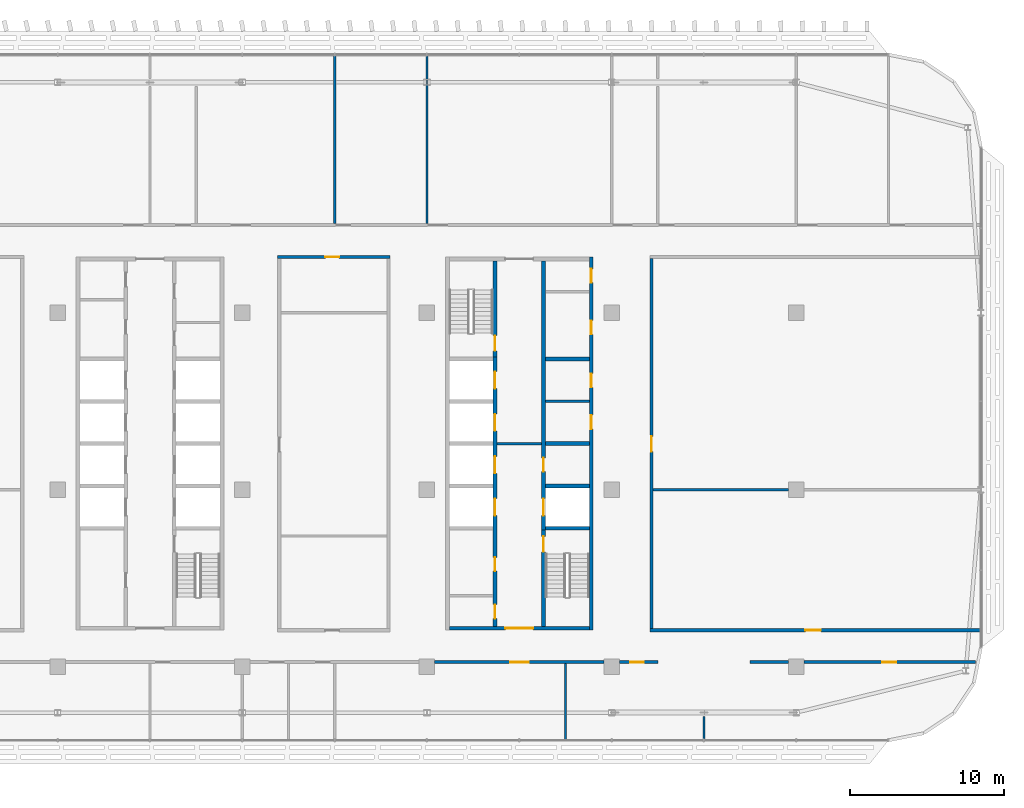
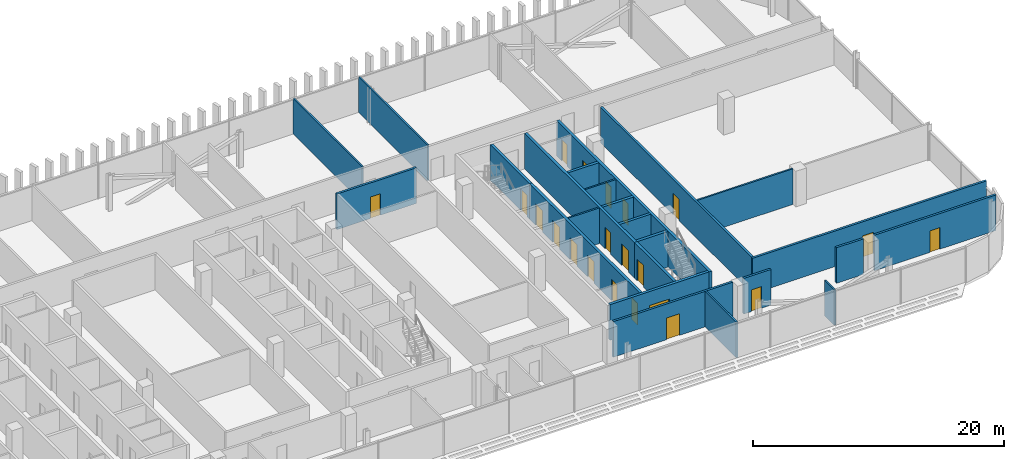
# One storey, part 21 of 32: 24 walls, 21 doors, 21 openings.
"""IFC4 building model written with IfcOpenShell, lengths in metres."""

from ifc_helpers import new_model, si_unit, direction, frame, frame_2d, origin, place, context, subcontext, project, spatial, rectangle, extrude, material, layer, layer_set, type_object, element, fill, save


model = new_model("IFC4")

# Units and contexts
model_context = context("Model", 3, precision=1e-05, world=origin(), true_north=direction((0.0, 1.0)))
body_context = subcontext(model_context, "Body", "Model", "MODEL_VIEW")
ifc_project = project(units=[si_unit("LENGTHUNIT", "METRE"), si_unit("AREAUNIT", "SQUARE_METRE"), si_unit("VOLUMEUNIT", "CUBIC_METRE"), si_unit("PLANEANGLEUNIT", "RADIAN"), si_unit("MASSUNIT", "GRAM", prefix="KILO")], contexts=[model_context])

# Site, building, storey
site_placement = place(None, origin())
site = spatial("IfcSite", under=ifc_project, at=site_placement, CompositionType="ELEMENT")
building_placement = place(site_placement, origin())
building = spatial("IfcBuilding", under=site, at=building_placement, Name="Mahtab Terrace Research Tower", CompositionType="ELEMENT")
storey_placement = place(building_placement, frame((0.0, 0.0, 236.199951171875)))
storey = spatial("IfcBuildingStorey", under=building, at=storey_placement, Name="L57", CompositionType="ELEMENT", Elevation=236.199951171875)

# Walls
ifc_material_1 = material(Name="Gypsum board partition")
ifc_layer_1 = layer(ifc_material_1, 0.14990234375)
ifc_layer_set_1 = layer_set([ifc_layer_1], Name="Core partition 150")
wall_type_1 = type_object("IfcWallType", Name="Core partition 150", PredefinedType="PARTITIONING", material=ifc_layer_set_1)
wall_1_placement = place(storey_placement, frame((22.550048828125, 3.0, 0.0), z_axis=(0.0, 0.0, 1.0), x_axis=(1.0, 0.0, 0.0)))
element("IfcWall", 1, at=wall_1_placement, inside=storey, type_object=wall_type_1, Name="Core wall C ffl", PredefinedType="PARTITIONING", context=body_context, shape_type="SweptSolid", body=[
    extrude(rectangle(XDim=2.89990234375, YDim=0.14990234375, at=frame_2d((1.449951171875, 0.0))), origin(), (0.0, 0.0, 1.0), 3.4599609375),
])
wall_2_placement = place(storey_placement, frame((25.699951171875, 5.75, 0.0), z_axis=(0.0, 0.0, 1.0), x_axis=(1.0, 0.0, 0.0)))
element("IfcWall", 2, at=wall_2_placement, inside=storey, type_object=wall_type_1, Name="Core wall C pEL275", PredefinedType="PARTITIONING", context=body_context, shape_type="SweptSolid", body=[
    extrude(rectangle(XDim=2.85009765625, YDim=0.14990234375, at=frame_2d((1.425048828125, 0.0))), origin(), (0.0, 0.0, 1.0), 3.4599609375),
])

# Wall, openings, doors
ifc_material_2 = material(Name="Concrete C70/85", Category="concrete")
ifc_layer_2 = layer(ifc_material_2, 0.25)
ifc_layer_set_2 = layer_set([ifc_layer_2], Name="Core wall 250")
wall_type_2 = type_object("IfcWallType", Name="Core wall 250", PredefinedType="SOLIDWALL", material=ifc_layer_set_2)
wall_3_placement = place(storey_placement, frame((28.675048828125, -9.125, 0.0), z_axis=(0.0, 0.0, 1.0), x_axis=(0.0, 1.0, 0.0)))
wall_3 = element("IfcWall", 3, at=wall_3_placement, inside=storey, type_object=wall_type_2, Name="Core wall C outerE", PredefinedType="SOLIDWALL", context=body_context, shape_type="SweptSolid", body=[
    extrude(rectangle(XDim=24.25, YDim=0.25, at=frame_2d((12.125, 0.0))), origin(), (0.0, 0.0, 1.0), 3.4599609375),
])
opening_1_placement = place(wall_3_placement, frame((13.074951171875, 0.0, 0.0)))
opening_1 = element("IfcOpeningElement", 4, at=opening_1_placement, cuts=wall_3, Name="Opening C-R2", PredefinedType="OPENING", context=body_context, shape_type="SweptSolid", body=[
    extrude(rectangle(XDim=0.89990234375, YDim=2.10009765625, at=frame_2d((0.449951171875, 1.050048828125))), frame((0.0, 0.135009765625, 0.0), z_axis=(0.0, -1.0, 0.0), x_axis=(1.0, 0.0, 0.0)), (0.0, 0.0, 1.0), 0.27001953125),
])
opening_2_placement = place(wall_3_placement, frame((15.77490234375, 0.0, 0.0)))
opening_2 = element("IfcOpeningElement", 5, at=opening_2_placement, cuts=wall_3, Name="Opening C-R3", PredefinedType="OPENING", context=body_context, shape_type="SweptSolid", body=[
    extrude(rectangle(XDim=0.89990234375, YDim=2.10009765625, at=frame_2d((0.449951171875, 1.050048828125))), frame((0.0, 0.135009765625, 0.0), z_axis=(0.0, -1.0, 0.0), x_axis=(1.0, 0.0, 0.0)), (0.0, 0.0, 1.0), 0.27001953125),
])
opening_3_placement = place(wall_3_placement, frame((19.22509765625, 0.0, 0.0)))
opening_3 = element("IfcOpeningElement", 6, at=opening_3_placement, cuts=wall_3, Name="Opening C-R6", PredefinedType="OPENING", context=body_context, shape_type="SweptSolid", body=[
    extrude(rectangle(XDim=0.89990234375, YDim=2.10009765625, at=frame_2d((0.449951171875, 1.050048828125))), frame((0.0, 0.135009765625, 0.0), z_axis=(0.0, -1.0, 0.0), x_axis=(1.0, 0.0, 0.0)), (0.0, 0.0, 1.0), 0.27001953125),
])
opening_4_placement = place(wall_3_placement, frame((22.58740234375, 0.0, 0.0)))
opening_4 = element("IfcOpeningElement", 7, at=opening_4_placement, cuts=wall_3, Name="Opening C-R7", PredefinedType="OPENING", context=body_context, shape_type="SweptSolid", body=[
    extrude(rectangle(XDim=0.89990234375, YDim=2.10009765625, at=frame_2d((0.449951171875, 1.050048828125))), frame((0.0, 0.135009765625, 0.0), z_axis=(0.0, -1.0, 0.0), x_axis=(1.0, 0.0, 0.0)), (0.0, 0.0, 1.0), 0.27001953125),
])
ifc_material_3 = material(Name="Steel fire door", Category="steel")
door_type_1 = type_object("IfcDoorType", Name="Room door 900x2100 1 HR", OperationType="NOTDEFINED", PredefinedType="DOOR", material=ifc_material_3)
door_1_placement = place(opening_1_placement, origin())
door_1 = element("IfcDoor", 8, at=door_1_placement, inside=storey, type_object=door_type_1, Name="Document store door", OperationType="SINGLE_SWING_RIGHT", OverallHeight=2.10009765625, OverallWidth=0.89990234375, PredefinedType="DOOR", context=body_context, shape_type="SweptSolid", body=[
    extrude(rectangle(XDim=0.89990234375, YDim=2.10009765625, at=frame_2d((0.449951171875, 1.050048828125))), frame((0.0, 0.02490234375, 0.0), z_axis=(0.0, -1.0, 0.0), x_axis=(1.0, 0.0, 0.0)), (0.0, 0.0, 1.0), 0.050048828125),
])
fill(opening_1, door_1)
door_2_placement = place(opening_2_placement, origin())
door_2 = element("IfcDoor", 9, at=door_2_placement, inside=storey, type_object=door_type_1, Name="IT equipment room door", OperationType="SINGLE_SWING_LEFT", OverallHeight=2.10009765625, OverallWidth=0.89990234375, PredefinedType="DOOR", context=body_context, shape_type="SweptSolid", body=[
    extrude(rectangle(XDim=0.89990234375, YDim=2.10009765625, at=frame_2d((0.449951171875, 1.050048828125))), frame((0.0, 0.02490234375, 0.0), z_axis=(0.0, -1.0, 0.0), x_axis=(1.0, 0.0, 0.0)), (0.0, 0.0, 1.0), 0.050048828125),
])
fill(opening_2, door_2)
door_3_placement = place(opening_3_placement, origin())
door_3 = element("IfcDoor", 10, at=door_3_placement, inside=storey, type_object=door_type_1, Name="IT equipment room door", OperationType="SINGLE_SWING_RIGHT", OverallHeight=2.10009765625, OverallWidth=0.89990234375, PredefinedType="DOOR", context=body_context, shape_type="SweptSolid", body=[
    extrude(rectangle(XDim=0.89990234375, YDim=2.10009765625, at=frame_2d((0.449951171875, 1.050048828125))), frame((0.0, 0.02490234375, 0.0), z_axis=(0.0, -1.0, 0.0), x_axis=(1.0, 0.0, 0.0)), (0.0, 0.0, 1.0), 0.050048828125),
])
fill(opening_3, door_3)
door_4_placement = place(opening_4_placement, origin())
door_4 = element("IfcDoor", 11, at=door_4_placement, inside=storey, type_object=door_type_1, Name="Electrical riser room door", OperationType="SINGLE_SWING_LEFT", OverallHeight=2.10009765625, OverallWidth=0.89990234375, PredefinedType="DOOR", context=body_context, shape_type="SweptSolid", body=[
    extrude(rectangle(XDim=0.89990234375, YDim=2.10009765625, at=frame_2d((0.449951171875, 1.050048828125))), frame((0.0, 0.02490234375, 0.0), z_axis=(0.0, -1.0, 0.0), x_axis=(1.0, 0.0, 0.0)), (0.0, 0.0, 1.0), 0.050048828125),
])
fill(opening_4, door_4)

# Wall, opening, door
wall_4_placement = place(storey_placement, frame((28.550048828125, -9.0, 0.0), z_axis=(0.0, 0.0, 1.0), x_axis=(-1.0, 0.0, 0.0)))
wall_4 = element("IfcWall", 12, at=wall_4_placement, inside=storey, type_object=wall_type_2, Name="Core wall C endS", PredefinedType="SOLIDWALL", context=body_context, shape_type="SweptSolid", body=[
    extrude(rectangle(XDim=9.10009765625, YDim=0.25, at=frame_2d((4.550048828125, 0.0))), origin(), (0.0, 0.0, 1.0), 3.4599609375),
])
opening_5_placement = place(wall_4_placement, frame((3.64990234375, 0.0, 0.0)))
opening_5 = element("IfcOpeningElement", 13, at=opening_5_placement, cuts=wall_4, Name="Opening C-S1", PredefinedType="OPENING", context=body_context, shape_type="SweptSolid", body=[
    extrude(rectangle(XDim=1.800048828125, YDim=2.10009765625, at=frame_2d((0.89990234375, 1.050048828125))), frame((0.0, 0.135009765625, 0.0), z_axis=(0.0, -1.0, 0.0), x_axis=(1.0, 0.0, 0.0)), (0.0, 0.0, 1.0), 0.27001953125),
])
door_type_2 = type_object("IfcDoorType", Name="Lobby double door 1800x2100 1 HR", OperationType="DOUBLE_DOOR_SINGLE_SWING", PredefinedType="DOOR", material=ifc_material_3)
door_5_placement = place(opening_5_placement, origin())
door_5 = element("IfcDoor", 14, at=door_5_placement, inside=storey, type_object=door_type_2, Name="Core entrance door C S", OperationType="DOUBLE_DOOR_SINGLE_SWING", OverallHeight=2.10009765625, OverallWidth=1.800048828125, PredefinedType="DOOR", context=body_context, shape_type="SweptSolid", body=[
    extrude(rectangle(XDim=1.800048828125, YDim=2.10009765625, at=frame_2d((0.89990234375, 1.050048828125))), frame((0.0, 0.02490234375, 0.0), z_axis=(0.0, -1.0, 0.0), x_axis=(1.0, 0.0, 0.0)), (0.0, 0.0, 1.0), 0.050048828125),
])
fill(opening_5, door_5)

# Wall, openings, doors
wall_5_placement = place(storey_placement, frame((22.425048828125, -8.875, 0.0), z_axis=(0.0, 0.0, 1.0), x_axis=(0.0, 1.0, 0.0)))
wall_5 = element("IfcWall", 15, at=wall_5_placement, inside=storey, type_object=wall_type_2, Name="Core wall C innerWSL", PredefinedType="SOLIDWALL", context=body_context, shape_type="SweptSolid", body=[
    extrude(rectangle(XDim=17.5, YDim=0.25, at=frame_2d((8.75, 0.0))), origin(), (0.0, 0.0, 1.0), 3.4599609375),
])
opening_6_placement = place(wall_5_placement, frame((7.199951171875, 0.0, 0.0)))
opening_6 = element("IfcOpeningElement", 16, at=opening_6_placement, cuts=wall_5, Name="Opening LD17-L57", PredefinedType="OPENING", context=body_context, shape_type="SweptSolid", body=[
    extrude(rectangle(XDim=1.10009765625, YDim=2.10009765625, at=frame_2d((0.550048828125, 1.050048828125))), frame((0.0, 0.135009765625, 0.0), z_axis=(0.0, -1.0, 0.0), x_axis=(1.0, 0.0, 0.0)), (0.0, 0.0, 1.0), 0.27001953125),
])
opening_7_placement = place(wall_5_placement, frame((9.949951171875, 0.0, 0.0)))
opening_7 = element("IfcOpeningElement", 17, at=opening_7_placement, cuts=wall_5, Name="Opening LD18-L57", PredefinedType="OPENING", context=body_context, shape_type="SweptSolid", body=[
    extrude(rectangle(XDim=1.10009765625, YDim=2.10009765625, at=frame_2d((0.550048828125, 1.050048828125))), frame((0.0, 0.135009765625, 0.0), z_axis=(0.0, -1.0, 0.0), x_axis=(1.0, 0.0, 0.0)), (0.0, 0.0, 1.0), 0.27001953125),
])
opening_8_placement = place(wall_5_placement, frame((12.699951171875, 0.0, 0.0)))
opening_8 = element("IfcOpeningElement", 18, at=opening_8_placement, cuts=wall_5, Name="Opening LD19-L57", PredefinedType="OPENING", context=body_context, shape_type="SweptSolid", body=[
    extrude(rectangle(XDim=1.10009765625, YDim=2.10009765625, at=frame_2d((0.550048828125, 1.050048828125))), frame((0.0, 0.135009765625, 0.0), z_axis=(0.0, -1.0, 0.0), x_axis=(1.0, 0.0, 0.0)), (0.0, 0.0, 1.0), 0.27001953125),
])
opening_9_placement = place(wall_5_placement, frame((15.449951171875, 0.0, 0.0)))
opening_9 = element("IfcOpeningElement", 19, at=opening_9_placement, cuts=wall_5, Name="Opening LD20-L57", PredefinedType="OPENING", context=body_context, shape_type="SweptSolid", body=[
    extrude(rectangle(XDim=1.10009765625, YDim=2.10009765625, at=frame_2d((0.550048828125, 1.050048828125))), frame((0.0, 0.135009765625, 0.0), z_axis=(0.0, -1.0, 0.0), x_axis=(1.0, 0.0, 0.0)), (0.0, 0.0, 1.0), 0.27001953125),
])
opening_10_placement = place(wall_5_placement, frame((0.512451171875, 0.0, 0.0)))
opening_10 = element("IfcOpeningElement", 20, at=opening_10_placement, cuts=wall_5, Name="Opening C-R4", PredefinedType="OPENING", context=body_context, shape_type="SweptSolid", body=[
    extrude(rectangle(XDim=0.89990234375, YDim=2.10009765625, at=frame_2d((0.449951171875, 1.050048828125))), frame((0.0, 0.135009765625, 0.0), z_axis=(0.0, -1.0, 0.0), x_axis=(1.0, 0.0, 0.0)), (0.0, 0.0, 1.0), 0.27001953125),
])
opening_11_placement = place(wall_5_placement, frame((3.58740234375, 0.0, 0.0)))
opening_11 = element("IfcOpeningElement", 21, at=opening_11_placement, cuts=wall_5, Name="Opening C-R5", PredefinedType="OPENING", context=body_context, shape_type="SweptSolid", body=[
    extrude(rectangle(XDim=0.89990234375, YDim=2.10009765625, at=frame_2d((0.449951171875, 1.050048828125))), frame((0.0, 0.135009765625, 0.0), z_axis=(0.0, -1.0, 0.0), x_axis=(1.0, 0.0, 0.0)), (0.0, 0.0, 1.0), 0.27001953125),
])
ifc_material_4 = material(Name="Stainless steel AISI 304", Category="steel")
door_type_3 = type_object("IfcDoorType", Name="Landing door 1100x2100", OperationType="DOUBLE_DOOR_SLIDING", PredefinedType="DOOR", material=ifc_material_4)
door_6_placement = place(opening_6_placement, origin())
door_6 = element("IfcDoor", 22, at=door_6_placement, inside=storey, type_object=door_type_3, Name="Landing door SV1 L57", OperationType="DOUBLE_DOOR_SLIDING", OverallHeight=2.10009765625, OverallWidth=1.10009765625, PredefinedType="DOOR", context=body_context, shape_type="SweptSolid", body=[
    extrude(rectangle(XDim=1.10009765625, YDim=2.10009765625, at=frame_2d((0.550048828125, 1.050048828125))), frame((0.0, 0.02490234375, 0.0), z_axis=(0.0, -1.0, 0.0), x_axis=(1.0, 0.0, 0.0)), (0.0, 0.0, 1.0), 0.050048828125),
])
fill(opening_6, door_6)
door_7_placement = place(opening_7_placement, origin())
door_7 = element("IfcDoor", 23, at=door_7_placement, inside=storey, type_object=door_type_3, Name="Landing door SV2 L57", OperationType="DOUBLE_DOOR_SLIDING", OverallHeight=2.10009765625, OverallWidth=1.10009765625, PredefinedType="DOOR", context=body_context, shape_type="SweptSolid", body=[
    extrude(rectangle(XDim=1.10009765625, YDim=2.10009765625, at=frame_2d((0.550048828125, 1.050048828125))), frame((0.0, 0.02490234375, 0.0), z_axis=(0.0, -1.0, 0.0), x_axis=(1.0, 0.0, 0.0)), (0.0, 0.0, 1.0), 0.050048828125),
])
fill(opening_7, door_7)
door_8_placement = place(opening_8_placement, origin())
door_8 = element("IfcDoor", 24, at=door_8_placement, inside=storey, type_object=door_type_3, Name="Landing door FF1 L57", OperationType="DOUBLE_DOOR_SLIDING", OverallHeight=2.10009765625, OverallWidth=1.10009765625, PredefinedType="DOOR", context=body_context, shape_type="SweptSolid", body=[
    extrude(rectangle(XDim=1.10009765625, YDim=2.10009765625, at=frame_2d((0.550048828125, 1.050048828125))), frame((0.0, 0.02490234375, 0.0), z_axis=(0.0, -1.0, 0.0), x_axis=(1.0, 0.0, 0.0)), (0.0, 0.0, 1.0), 0.050048828125),
])
fill(opening_8, door_8)
door_9_placement = place(opening_9_placement, origin())
door_9 = element("IfcDoor", 25, at=door_9_placement, inside=storey, type_object=door_type_3, Name="Landing door FF2 L57", OperationType="DOUBLE_DOOR_SLIDING", OverallHeight=2.10009765625, OverallWidth=1.10009765625, PredefinedType="DOOR", context=body_context, shape_type="SweptSolid", body=[
    extrude(rectangle(XDim=1.10009765625, YDim=2.10009765625, at=frame_2d((0.550048828125, 1.050048828125))), frame((0.0, 0.02490234375, 0.0), z_axis=(0.0, -1.0, 0.0), x_axis=(1.0, 0.0, 0.0)), (0.0, 0.0, 1.0), 0.050048828125),
])
fill(opening_9, door_9)
door_10_placement = place(opening_10_placement, origin())
door_10 = element("IfcDoor", 26, at=door_10_placement, inside=storey, type_object=door_type_1, Name="Accessible WC door", OperationType="SINGLE_SWING_RIGHT", OverallHeight=2.10009765625, OverallWidth=0.89990234375, PredefinedType="DOOR", context=body_context, shape_type="SweptSolid", body=[
    extrude(rectangle(XDim=0.89990234375, YDim=2.10009765625, at=frame_2d((0.449951171875, 1.050048828125))), frame((0.0, 0.02490234375, 0.0), z_axis=(0.0, -1.0, 0.0), x_axis=(1.0, 0.0, 0.0)), (0.0, 0.0, 1.0), 0.050048828125),
])
fill(opening_10, door_10)
door_11_placement = place(opening_11_placement, origin())
door_11 = element("IfcDoor", 27, at=door_11_placement, inside=storey, type_object=door_type_1, Name="WC block door", OperationType="SINGLE_SWING_LEFT", OverallHeight=2.10009765625, OverallWidth=0.89990234375, PredefinedType="DOOR", context=body_context, shape_type="SweptSolid", body=[
    extrude(rectangle(XDim=0.89990234375, YDim=2.10009765625, at=frame_2d((0.449951171875, 1.050048828125))), frame((0.0, 0.02490234375, 0.0), z_axis=(0.0, -1.0, 0.0), x_axis=(1.0, 0.0, 0.0)), (0.0, 0.0, 1.0), 0.050048828125),
])
fill(opening_11, door_11)

# Wall, opening, door
wall_6_placement = place(storey_placement, frame((22.425048828125, 14.875, 0.0), z_axis=(0.0, 0.0, 1.0), x_axis=(0.0, -1.0, 0.0)))
wall_6 = element("IfcWall", 28, at=wall_6_placement, inside=storey, type_object=wall_type_2, Name="Core wall C innerWN", PredefinedType="SOLIDWALL", context=body_context, shape_type="SweptSolid", body=[
    extrude(rectangle(XDim=6.25, YDim=0.25, at=frame_2d((3.125, 0.0))), origin(), (0.0, 0.0, 1.0), 3.4599609375),
])
opening_12_placement = place(wall_6_placement, frame((4.85009765625, 0.0, 0.0)))
opening_12 = element("IfcOpeningElement", 29, at=opening_12_placement, cuts=wall_6, Name="Opening C-ST3", PredefinedType="OPENING", context=body_context, shape_type="SweptSolid", body=[
    extrude(rectangle(XDim=1.0, YDim=2.10009765625, at=frame_2d((0.5, 1.050048828125))), frame((0.0, 0.135009765625, 0.0), z_axis=(0.0, -1.0, 0.0), x_axis=(1.0, 0.0, 0.0)), (0.0, 0.0, 1.0), 0.27001953125),
])
door_type_4 = type_object("IfcDoorType", Name="Stair door 1000x2100 1.5 HR", OperationType="NOTDEFINED", PredefinedType="DOOR", material=ifc_material_3)
door_12_placement = place(opening_12_placement, origin())
door_12 = element("IfcDoor", 30, at=door_12_placement, inside=storey, type_object=door_type_4, Name="Stair door ST3 L57", OperationType="SINGLE_SWING_RIGHT", OverallHeight=2.10009765625, OverallWidth=1.0, PredefinedType="DOOR", context=body_context, shape_type="SweptSolid", body=[
    extrude(rectangle(XDim=1.0, YDim=2.10009765625, at=frame_2d((0.5, 1.050048828125))), frame((0.0, 0.02490234375, 0.0), z_axis=(0.0, -1.0, 0.0), x_axis=(1.0, 0.0, 0.0)), (0.0, 0.0, 1.0), 0.050048828125),
])
fill(opening_12, door_12)

wall_7_placement = place(storey_placement, frame((25.574951171875, -8.875, 0.0), z_axis=(0.0, 0.0, 1.0), x_axis=(0.0, 1.0, 0.0)))
wall_7 = element("IfcWall", 31, at=wall_7_placement, inside=storey, type_object=wall_type_2, Name="Core wall C innerES", PredefinedType="SOLIDWALL", context=body_context, shape_type="SweptSolid", body=[
    extrude(rectangle(XDim=6.25, YDim=0.25, at=frame_2d((3.125, 0.0))), origin(), (0.0, 0.0, 1.0), 3.4599609375),
])
opening_13_placement = place(wall_7_placement, frame((4.85009765625, 0.0, 0.0)))
opening_13 = element("IfcOpeningElement", 32, at=opening_13_placement, cuts=wall_7, Name="Opening C-ST4", PredefinedType="OPENING", context=body_context, shape_type="SweptSolid", body=[
    extrude(rectangle(XDim=1.0, YDim=2.10009765625, at=frame_2d((0.5, 1.050048828125))), frame((0.0, 0.135009765625, 0.0), z_axis=(0.0, -1.0, 0.0), x_axis=(1.0, 0.0, 0.0)), (0.0, 0.0, 1.0), 0.27001953125),
])
door_13_placement = place(opening_13_placement, origin())
door_13 = element("IfcDoor", 33, at=door_13_placement, inside=storey, type_object=door_type_4, Name="Stair door ST4 L57", OperationType="SINGLE_SWING_LEFT", OverallHeight=2.10009765625, OverallWidth=1.0, PredefinedType="DOOR", context=body_context, shape_type="SweptSolid", body=[
    extrude(rectangle(XDim=1.0, YDim=2.10009765625, at=frame_2d((0.5, 1.050048828125))), frame((0.0, 0.02490234375, 0.0), z_axis=(0.0, -1.0, 0.0), x_axis=(1.0, 0.0, 0.0)), (0.0, 0.0, 1.0), 0.050048828125),
])
fill(opening_13, door_13)

# Wall, openings, doors
wall_8_placement = place(storey_placement, frame((25.574951171875, 14.875, 0.0), z_axis=(0.0, 0.0, 1.0), x_axis=(0.0, -1.0, 0.0)))
wall_8 = element("IfcWall", 34, at=wall_8_placement, inside=storey, type_object=wall_type_2, Name="Core wall C innerELN", PredefinedType="SOLIDWALL", context=body_context, shape_type="SweptSolid", body=[
    extrude(rectangle(XDim=17.5, YDim=0.25, at=frame_2d((8.75, 0.0))), origin(), (0.0, 0.0, 1.0), 3.4599609375),
])
opening_14_placement = place(wall_8_placement, frame((15.449951171875, 0.0, 0.0)))
opening_14 = element("IfcOpeningElement", 35, at=opening_14_placement, cuts=wall_8, Name="Opening LD21-L57", PredefinedType="OPENING", context=body_context, shape_type="SweptSolid", body=[
    extrude(rectangle(XDim=1.10009765625, YDim=2.10009765625, at=frame_2d((0.550048828125, 1.050048828125))), frame((0.0, 0.135009765625, 0.0), z_axis=(0.0, -1.0, 0.0), x_axis=(1.0, 0.0, 0.0)), (0.0, 0.0, 1.0), 0.27001953125),
])
opening_15_placement = place(wall_8_placement, frame((12.800048828125, 0.0, 0.0)))
opening_15 = element("IfcOpeningElement", 36, at=opening_15_placement, cuts=wall_8, Name="Opening C-R1", PredefinedType="OPENING", context=body_context, shape_type="SweptSolid", body=[
    extrude(rectangle(XDim=0.89990234375, YDim=2.10009765625, at=frame_2d((0.449951171875, 1.050048828125))), frame((0.0, 0.135009765625, 0.0), z_axis=(0.0, -1.0, 0.0), x_axis=(1.0, 0.0, 0.0)), (0.0, 0.0, 1.0), 0.27001953125),
])
door_14_placement = place(opening_14_placement, origin())
door_14 = element("IfcDoor", 37, at=door_14_placement, inside=storey, type_object=door_type_3, Name="Landing door SV3 L57", OperationType="DOUBLE_DOOR_SLIDING", OverallHeight=2.10009765625, OverallWidth=1.10009765625, PredefinedType="DOOR", context=body_context, shape_type="SweptSolid", body=[
    extrude(rectangle(XDim=1.10009765625, YDim=2.10009765625, at=frame_2d((0.550048828125, 1.050048828125))), frame((0.0, 0.02490234375, 0.0), z_axis=(0.0, -1.0, 0.0), x_axis=(1.0, 0.0, 0.0)), (0.0, 0.0, 1.0), 0.050048828125),
])
fill(opening_14, door_14)
door_15_placement = place(opening_15_placement, origin())
door_15 = element("IfcDoor", 38, at=door_15_placement, inside=storey, type_object=door_type_1, Name="Plant room door", OperationType="SINGLE_SWING_LEFT", OverallHeight=2.10009765625, OverallWidth=0.89990234375, PredefinedType="DOOR", context=body_context, shape_type="SweptSolid", body=[
    extrude(rectangle(XDim=0.89990234375, YDim=2.10009765625, at=frame_2d((0.449951171875, 1.050048828125))), frame((0.0, 0.02490234375, 0.0), z_axis=(0.0, -1.0, 0.0), x_axis=(1.0, 0.0, 0.0)), (0.0, 0.0, 1.0), 0.050048828125),
])
fill(opening_15, door_15)

# Walls
for number, where, z_axis, x_axis, name in (
    (39, (25.699951171875, -2.5, 0.0), (0.0, 0.0, 1.0), (1.0, 0.0, 0.0), "Core wall C divE0"),
    (40, (25.699951171875, 0.25, 0.0), (0.0, 0.0, 1.0), (1.0, 0.0, 0.0), "Core wall C divE1"),
    (41, (25.699951171875, 3.0, 0.0), (0.0, 0.0, 1.0), (1.0, 0.0, 0.0), "Core wall C divE2"),
    (42, (25.699951171875, 8.5, 0.0), (0.0, 0.0, 1.0), (1.0, 0.0, 0.0), "Core wall C divE4"),
):
    element("IfcWall", number, at=place(storey_placement, frame(where, z_axis=z_axis, x_axis=x_axis)), inside=storey, type_object=wall_type_2, Name=name, PredefinedType="SOLIDWALL", context=body_context, shape_type="SweptSolid", body=[
        extrude(rectangle(XDim=2.85009765625, YDim=0.25, at=frame_2d((1.425048828125, 0.0))), origin(), (0.0, 0.0, 1.0), 3.4599609375),
    ])

# Wall, opening, door
ifc_material_5 = material(Name="Gypsum board corridor wall on steel studs", Category="steel")
ifc_layer_3 = layer(ifc_material_5, 0.199951171875)
ifc_layer_set_3 = layer_set([ifc_layer_3], Name="WALL CORRIDOR 200")
wall_type_3 = type_object("IfcWallType", Name="WALL CORRIDOR 200", PredefinedType="PARTITIONING", material=ifc_layer_set_3)
wall_9_placement = place(storey_placement, frame((18.5, -11.199951171875, 0.0), z_axis=(0.0, 0.0, 1.0), x_axis=(1.0, 0.0, 0.0)))
wall_9 = element("IfcWall", 43, at=wall_9_placement, inside=storey, type_object=wall_type_3, Name="L57-W006", PredefinedType="PARTITIONING", context=body_context, shape_type="SweptSolid", body=[
    extrude(rectangle(XDim=11.0, YDim=0.199951171875, at=frame_2d((5.5, 0.0))), origin(), (0.0, 0.0, 1.0), 3.4599609375),
])
opening_16_placement = place(wall_9_placement, frame((4.89990234375, 0.0, 0.0)))
opening_16 = element("IfcOpeningElement", 44, at=opening_16_placement, cuts=wall_9, Name="Opening L57-109", PredefinedType="OPENING", context=body_context, shape_type="SweptSolid", body=[
    extrude(rectangle(XDim=1.199951171875, YDim=2.10009765625, at=frame_2d((0.60009765625, 1.050048828125))), frame((0.0, 0.10986328125, 0.0), z_axis=(0.0, -1.0, 0.0), x_axis=(1.0, 0.0, 0.0)), (0.0, 0.0, 1.0), 0.219970703125),
])
ifc_material_6 = material(Name="Timber door leaf in steel frame", Category="steel")
door_type_5 = type_object("IfcDoorType", Name="DOOR 1200X2100 FD30S", OperationType="SINGLE_SWING_LEFT", PredefinedType="DOOR", material=ifc_material_6)
door_16_placement = place(opening_16_placement, origin())
door_16 = element("IfcDoor", 45, at=door_16_placement, inside=storey, type_object=door_type_5, Name="Door L57-109", OperationType="SINGLE_SWING_LEFT", OverallHeight=2.10009765625, OverallWidth=1.199951171875, PredefinedType="DOOR", context=body_context, shape_type="SweptSolid", body=[
    extrude(rectangle(XDim=1.199951171875, YDim=2.10009765625, at=frame_2d((0.60009765625, 1.050048828125))), frame((0.0, 0.02490234375, 0.0), z_axis=(0.0, -1.0, 0.0), x_axis=(1.0, 0.0, 0.0)), (0.0, 0.0, 1.0), 0.050048828125),
])
fill(opening_16, door_16)

wall_10_placement = place(storey_placement, frame((30.5, -11.199951171875, 0.0), z_axis=(0.0, 0.0, 1.0), x_axis=(1.0, 0.0, 0.0)))
wall_10 = element("IfcWall", 46, at=wall_10_placement, inside=storey, type_object=wall_type_3, Name="L57-W007", PredefinedType="PARTITIONING", context=body_context, shape_type="SweptSolid", body=[
    extrude(rectangle(XDim=2.5, YDim=0.199951171875, at=frame_2d((1.25, 0.0))), origin(), (0.0, 0.0, 1.0), 3.4599609375),
])
opening_17_placement = place(wall_10_placement, frame((0.699951171875, 0.0, 0.0)))
opening_17 = element("IfcOpeningElement", 47, at=opening_17_placement, cuts=wall_10, Name="Opening L57-110", PredefinedType="OPENING", context=body_context, shape_type="SweptSolid", body=[
    extrude(rectangle(XDim=0.89990234375, YDim=2.10009765625, at=frame_2d((0.449951171875, 1.050048828125))), frame((0.0, 0.10986328125, 0.0), z_axis=(0.0, -1.0, 0.0), x_axis=(1.0, 0.0, 0.0)), (0.0, 0.0, 1.0), 0.219970703125),
])
door_type_6 = type_object("IfcDoorType", Name="DOOR 0900X2100 FD30S", OperationType="SINGLE_SWING_LEFT", PredefinedType="DOOR", material=ifc_material_6)
door_17_placement = place(opening_17_placement, origin())
door_17 = element("IfcDoor", 48, at=door_17_placement, inside=storey, type_object=door_type_6, Name="Door L57-110", OperationType="SINGLE_SWING_RIGHT", OverallHeight=2.10009765625, OverallWidth=0.89990234375, PredefinedType="DOOR", context=body_context, shape_type="SweptSolid", body=[
    extrude(rectangle(XDim=0.89990234375, YDim=2.10009765625, at=frame_2d((0.449951171875, 1.050048828125))), frame((0.0, 0.02490234375, 0.0), z_axis=(0.0, -1.0, 0.0), x_axis=(1.0, 0.0, 0.0)), (0.0, 0.0, 1.0), 0.050048828125),
])
fill(opening_17, door_17)

# Wall
wall_11_placement = place(storey_placement, frame((39.0, -11.199951171875, 0.0), z_axis=(0.0, 0.0, 1.0), x_axis=(1.0, 0.0, 0.0)))
element("IfcWall", 49, at=wall_11_placement, inside=storey, type_object=wall_type_3, Name="L57-W008", PredefinedType="PARTITIONING", context=body_context, shape_type="SweptSolid", body=[
    extrude(rectangle(XDim=2.5, YDim=0.199951171875, at=frame_2d((1.25, 0.0))), origin(), (0.0, 0.0, 1.0), 3.4599609375),
])

# Wall, opening, door
wall_12_placement = place(storey_placement, frame((42.5, -11.199951171875, 0.0), z_axis=(0.0, 0.0, 1.0), x_axis=(1.0, 0.0, 0.0)))
wall_12 = element("IfcWall", 50, at=wall_12_placement, inside=storey, type_object=wall_type_3, Name="L57-W009", PredefinedType="PARTITIONING", context=body_context, shape_type="SweptSolid", body=[
    extrude(rectangle(XDim=11.16357421875, YDim=0.199951171875, at=frame_2d((5.581787109375, 0.0))), origin(), (0.0, 0.0, 1.0), 3.4599609375),
])
opening_18_placement = place(wall_12_placement, frame((5.10009765625, 0.0, 0.0)))
opening_18 = element("IfcOpeningElement", 51, at=opening_18_placement, cuts=wall_12, Name="Opening L57-111", PredefinedType="OPENING", context=body_context, shape_type="SweptSolid", body=[
    extrude(rectangle(XDim=0.89990234375, YDim=2.10009765625, at=frame_2d((0.449951171875, 1.050048828125))), frame((0.0, 0.10986328125, 0.0), z_axis=(0.0, -1.0, 0.0), x_axis=(1.0, 0.0, 0.0)), (0.0, 0.0, 1.0), 0.219970703125),
])
door_18_placement = place(opening_18_placement, origin())
door_18 = element("IfcDoor", 52, at=door_18_placement, inside=storey, type_object=door_type_6, Name="Door L57-111", OperationType="SINGLE_SWING_RIGHT", OverallHeight=2.10009765625, OverallWidth=0.89990234375, PredefinedType="DOOR", context=body_context, shape_type="SweptSolid", body=[
    extrude(rectangle(XDim=0.89990234375, YDim=2.10009765625, at=frame_2d((0.449951171875, 1.050048828125))), frame((0.0, 0.02490234375, 0.0), z_axis=(0.0, -1.0, 0.0), x_axis=(1.0, 0.0, 0.0)), (0.0, 0.0, 1.0), 0.050048828125),
])
fill(opening_18, door_18)

wall_13_placement = place(storey_placement, frame((32.5, -9.125, 0.0), z_axis=(0.0, 0.0, 1.0), x_axis=(1.0, 0.0, 0.0)))
wall_13 = element("IfcWall", 53, at=wall_13_placement, inside=storey, type_object=wall_type_3, Name="L57-W013", PredefinedType="PARTITIONING", context=body_context, shape_type="SweptSolid", body=[
    extrude(rectangle(XDim=21.47509765625, YDim=0.199951171875, at=frame_2d((10.737548828125, 0.0))), origin(), (0.0, 0.0, 1.0), 3.4599609375),
])
opening_19_placement = place(wall_13_placement, frame((10.10009765625, 0.0, 0.0)))
opening_19 = element("IfcOpeningElement", 54, at=opening_19_placement, cuts=wall_13, Name="Opening L57-115", PredefinedType="OPENING", context=body_context, shape_type="SweptSolid", body=[
    extrude(rectangle(XDim=1.0, YDim=2.10009765625, at=frame_2d((0.5, 1.050048828125))), frame((0.0, 0.10986328125, 0.0), z_axis=(0.0, -1.0, 0.0), x_axis=(1.0, 0.0, 0.0)), (0.0, 0.0, 1.0), 0.219970703125),
])
door_type_7 = type_object("IfcDoorType", Name="DOOR 1000X2100 FD30S", OperationType="SINGLE_SWING_LEFT", PredefinedType="DOOR", material=ifc_material_6)
door_19_placement = place(opening_19_placement, origin())
door_19 = element("IfcDoor", 55, at=door_19_placement, inside=storey, type_object=door_type_7, Name="Door L57-115", OperationType="SINGLE_SWING_LEFT", OverallHeight=2.10009765625, OverallWidth=1.0, PredefinedType="DOOR", context=body_context, shape_type="SweptSolid", body=[
    extrude(rectangle(XDim=1.0, YDim=2.10009765625, at=frame_2d((0.5, 1.050048828125))), frame((0.0, 0.02490234375, 0.0), z_axis=(0.0, -1.0, 0.0), x_axis=(1.0, 0.0, 0.0)), (0.0, 0.0, 1.0), 0.050048828125),
])
fill(opening_19, door_19)

wall_14_placement = place(storey_placement, frame((8.300048828125, 15.125, 0.0), z_axis=(0.0, 0.0, 1.0), x_axis=(1.0, 0.0, 0.0)))
wall_14 = element("IfcWall", 56, at=wall_14_placement, inside=storey, type_object=wall_type_3, Name="L57-W023", PredefinedType="PARTITIONING", context=body_context, shape_type="SweptSolid", body=[
    extrude(rectangle(XDim=7.300048828125, YDim=0.199951171875, at=frame_2d((3.64990234375, 0.0))), origin(), (0.0, 0.0, 1.0), 3.4599609375),
])
opening_20_placement = place(wall_14_placement, frame((3.10009765625, 0.0, 0.0)))
opening_20 = element("IfcOpeningElement", 57, at=opening_20_placement, cuts=wall_14, Name="Opening L57-121", PredefinedType="OPENING", context=body_context, shape_type="SweptSolid", body=[
    extrude(rectangle(XDim=0.89990234375, YDim=2.10009765625, at=frame_2d((0.449951171875, 1.050048828125))), frame((0.0, 0.10986328125, 0.0), z_axis=(0.0, -1.0, 0.0), x_axis=(1.0, 0.0, 0.0)), (0.0, 0.0, 1.0), 0.219970703125),
])
door_20_placement = place(opening_20_placement, origin())
door_20 = element("IfcDoor", 58, at=door_20_placement, inside=storey, type_object=door_type_6, Name="Door L57-121", OperationType="SINGLE_SWING_RIGHT", OverallHeight=2.10009765625, OverallWidth=0.89990234375, PredefinedType="DOOR", context=body_context, shape_type="SweptSolid", body=[
    extrude(rectangle(XDim=0.89990234375, YDim=2.10009765625, at=frame_2d((0.449951171875, 1.050048828125))), frame((0.0, 0.02490234375, 0.0), z_axis=(0.0, -1.0, 0.0), x_axis=(1.0, 0.0, 0.0)), (0.0, 0.0, 1.0), 0.050048828125),
])
fill(opening_20, door_20)

wall_15_placement = place(storey_placement, frame((32.60009765625, -9.02490234375, 0.0), z_axis=(0.0, 0.0, 1.0), x_axis=(0.0, 1.0, 0.0)))
wall_15 = element("IfcWall", 59, at=wall_15_placement, inside=storey, type_object=wall_type_3, Name="L57-W052", PredefinedType="PARTITIONING", context=body_context, shape_type="SweptSolid", body=[
    extrude(rectangle(XDim=24.0498046875, YDim=0.199951171875, at=frame_2d((12.02490234375, 0.0))), origin(), (0.0, 0.0, 1.0), 3.4599609375),
])
opening_21_placement = place(wall_15_placement, frame((11.5, 0.0, 0.0)))
opening_21 = element("IfcOpeningElement", 60, at=opening_21_placement, cuts=wall_15, Name="Opening L57-119", PredefinedType="OPENING", context=body_context, shape_type="SweptSolid", body=[
    extrude(rectangle(XDim=1.0, YDim=2.10009765625, at=frame_2d((0.5, 1.050048828125))), frame((0.0, 0.10986328125, 0.0), z_axis=(0.0, -1.0, 0.0), x_axis=(1.0, 0.0, 0.0)), (0.0, 0.0, 1.0), 0.219970703125),
])
door_21_placement = place(opening_21_placement, origin())
door_21 = element("IfcDoor", 61, at=door_21_placement, inside=storey, type_object=door_type_7, Name="Door L57-119", OperationType="SINGLE_SWING_RIGHT", OverallHeight=2.10009765625, OverallWidth=1.0, PredefinedType="DOOR", context=body_context, shape_type="SweptSolid", body=[
    extrude(rectangle(XDim=1.0, YDim=2.10009765625, at=frame_2d((0.5, 1.050048828125))), frame((0.0, 0.02490234375, 0.0), z_axis=(0.0, -1.0, 0.0), x_axis=(1.0, 0.0, 0.0)), (0.0, 0.0, 1.0), 0.050048828125),
])
fill(opening_21, door_21)

# Walls
ifc_material_7 = material(Name="Gypsum board partition on steel studs", Category="steel")
ifc_layer_4 = layer(ifc_material_7, 0.14990234375)
ifc_layer_set_4 = layer_set([ifc_layer_4], Name="WALL PARTITION 150")
wall_type_4 = type_object("IfcWallType", Name="WALL PARTITION 150", PredefinedType="PARTITIONING", material=ifc_layer_set_4)
wall_16_placement = place(storey_placement, frame((32.699951171875, 0.0, 0.0), z_axis=(0.0, 0.0, 1.0), x_axis=(1.0, 0.0, 0.0)))
element("IfcWall", 62, at=wall_16_placement, inside=storey, type_object=wall_type_4, Name="L57-W017", PredefinedType="PARTITIONING", context=body_context, shape_type="SweptSolid", body=[
    extrude(rectangle(XDim=8.800048828125, YDim=0.14990234375, at=frame_2d((4.39990234375, 0.0))), origin(), (0.0, 0.0, 1.0), 3.4599609375),
])
for number, where, z_axis, x_axis, name in (
    (63, (12.0, 17.300048828125, 0.0), (0.0, 0.0, 1.0), (0.0, 1.0, 0.0), "L57-W047"),
    (64, (18.0, 17.300048828125, 0.0), (0.0, 0.0, 1.0), (0.0, 1.0, 0.0), "L57-W049"),
):
    element("IfcWall", number, at=place(storey_placement, frame(where, z_axis=z_axis, x_axis=x_axis)), inside=storey, type_object=wall_type_4, Name=name, PredefinedType="PARTITIONING", context=body_context, shape_type="SweptSolid", body=[
        extrude(rectangle(XDim=10.952880859375, YDim=0.14990234375, at=frame_2d((5.4765625, 0.0))), origin(), (0.0, 0.0, 1.0), 3.4599609375),
    ])
wall_17_placement = place(storey_placement, frame((27.0, -16.2529296875, 0.0), z_axis=(0.0, 0.0, 1.0), x_axis=(0.0, 1.0, 0.0)))
element("IfcWall", 65, at=wall_17_placement, inside=storey, type_object=wall_type_4, Name="L57-W050", PredefinedType="PARTITIONING", context=body_context, shape_type="SweptSolid", body=[
    extrude(rectangle(XDim=4.952880859375, YDim=0.14990234375, at=frame_2d((2.4765625, 0.0))), origin(), (0.0, 0.0, 1.0), 3.4599609375),
])
wall_18_placement = place(storey_placement, frame((36.0, -16.2529296875, 0.0), z_axis=(0.0, 0.0, 1.0), x_axis=(0.0, 1.0, 0.0)))
element("IfcWall", 66, at=wall_18_placement, inside=storey, type_object=wall_type_4, Name="L57-W055", PredefinedType="PARTITIONING", context=body_context, shape_type="SweptSolid", body=[
    extrude(rectangle(XDim=1.527587890625, YDim=0.14990234375, at=frame_2d((0.763671875, 0.0))), origin(), (0.0, 0.0, 1.0), 3.4599609375),
])

save(model, "model.ifc")
